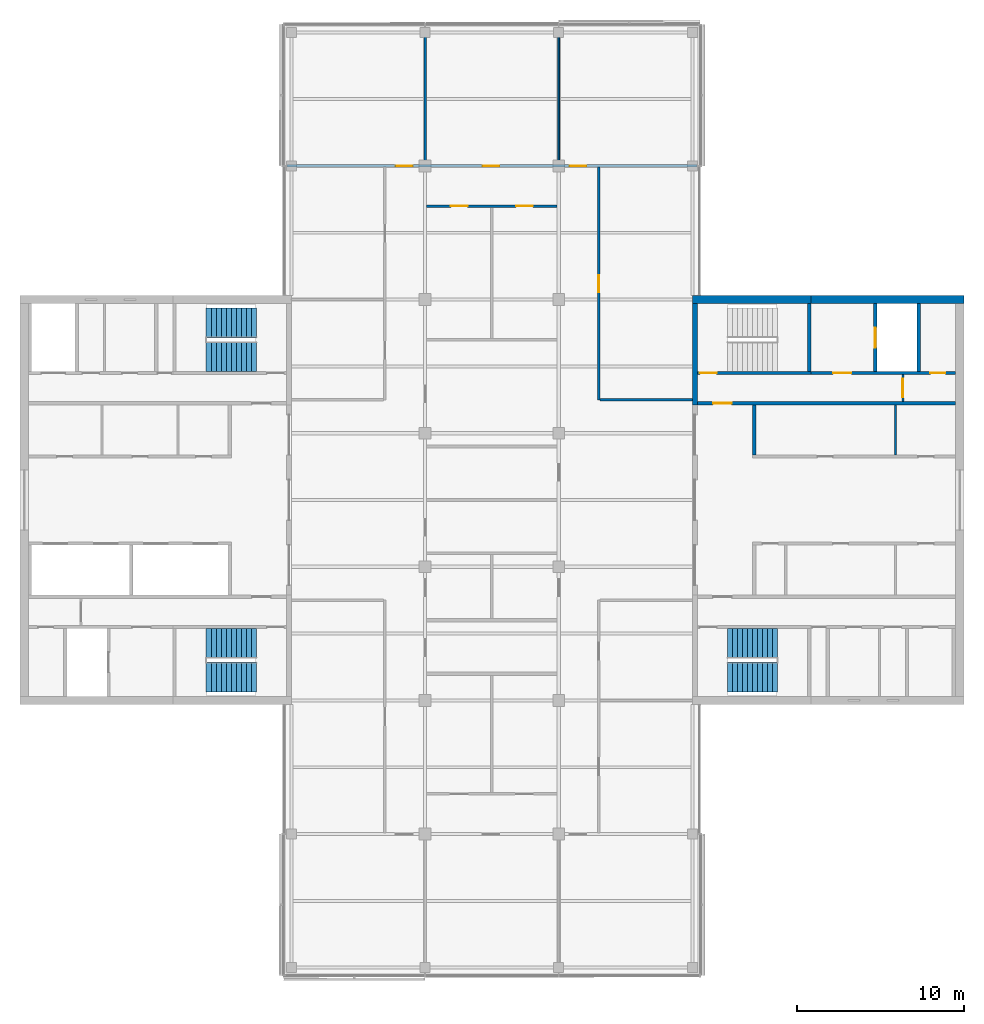
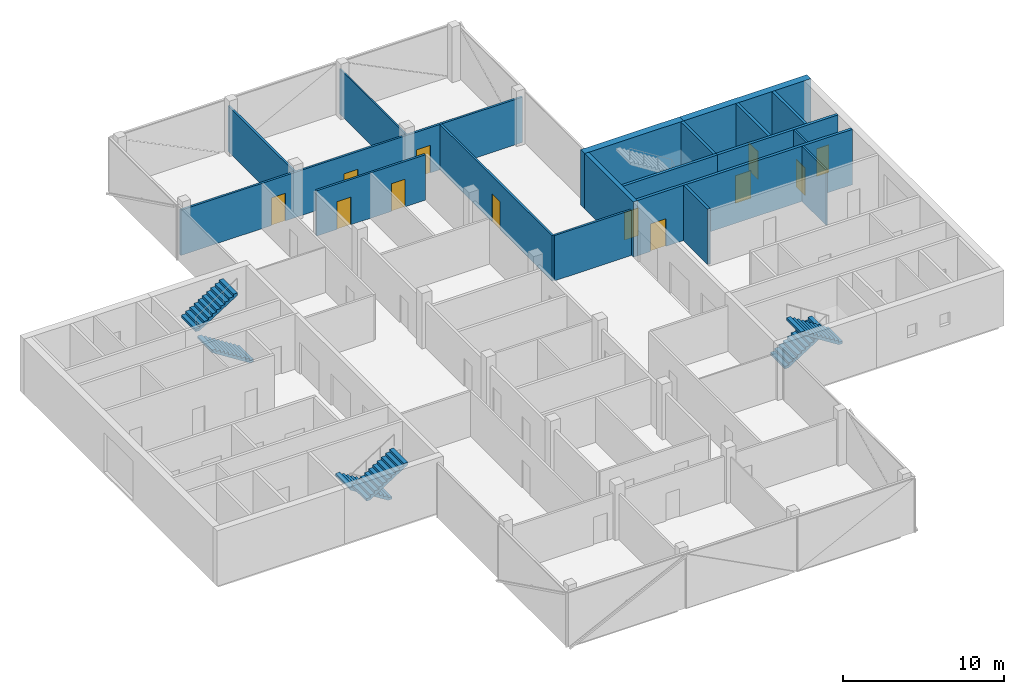
# One storey, part 12 of 16: 18 walls, 12 doors, 6 stair flights, 12 openings, 3 elements without a shape of their own.
"""IFC4 building model written with IfcOpenShell, lengths in metres."""

from ifc_helpers import new_model, si_unit, direction, frame, frame_2d, origin, place, context, subcontext, project, spatial, polyline, rectangle, outline, extrude, material, layer, layer_set, constituent, constituent_set, type_object, element, fill, aggregate, save


model = new_model("IFC4")

# Units and contexts
model_context = context("Model", 3, precision=1e-05, world=origin(), true_north=direction((0.0, 1.0)))
body_context = subcontext(model_context, "Body", "Model", "MODEL_VIEW")
ifc_project = project(units=[si_unit("LENGTHUNIT", "METRE"), si_unit("AREAUNIT", "SQUARE_METRE"), si_unit("VOLUMEUNIT", "CUBIC_METRE"), si_unit("PLANEANGLEUNIT", "RADIAN"), si_unit("MASSUNIT", "GRAM", prefix="KILO")], contexts=[model_context])

# Site, building, storey
site_placement = place(None, origin())
site = spatial("IfcSite", under=ifc_project, at=site_placement, CompositionType="ELEMENT")
building_placement = place(site_placement, origin())
building = spatial("IfcBuilding", under=site, at=building_placement, Name="Crosswind Convention Tower", CompositionType="ELEMENT")
storey_placement = place(building_placement, frame((0.0, 0.0, 249.300048828125)))
storey = spatial("IfcBuildingStorey", under=building, at=storey_placement, Name="L53", CompositionType="ELEMENT", Elevation=249.300048828125)

# Walls
ifc_material_1 = material(Name="Concrete C50/60", Category="concrete")
ifc_layer_1 = layer(ifc_material_1, 0.300048828125)
ifc_layer_set_1 = layer_set([ifc_layer_1], Name="Concrete C50/60")
wall_type_1 = type_object("IfcWallType", Name="Concrete inner core wall 300", PredefinedType="SHEAR", material=ifc_layer_set_1)
wall_1_placement = place(storey_placement, frame((137.14990234375, 105.699951171875, 0.0), z_axis=(0.0, 0.0, 1.0), x_axis=(0.0, 1.0, 0.0)))
element("IfcWall", 1, at=wall_1_placement, inside=storey, type_object=wall_type_1, Name="Wall EP E L53", PredefinedType="SHEAR", context=body_context, shape_type="SweptSolid", body=[
    extrude(rectangle(XDim=6.050048828125, YDim=0.300048828125, at=frame_2d((3.02490234375, 0.0))), origin(), (0.0, 0.0, 1.0), 4.199951171875),
])
ifc_layer_2 = layer(ifc_material_1, 0.199951171875)
ifc_layer_set_2 = layer_set([ifc_layer_2], Name="Concrete C50/60")
wall_type_2 = type_object("IfcWallType", Name="Concrete shaft and stair wall 200", PredefinedType="SHEAR", material=ifc_layer_set_2)
wall_2_placement = place(storey_placement, frame((140.699951171875, 102.699951171875, 0.0), z_axis=(0.0, 0.0, 1.0), x_axis=(0.0, 1.0, 0.0)))
element("IfcWall", 2, at=wall_2_placement, inside=storey, type_object=wall_type_2, Name="Wall RPEND E L53", PredefinedType="SHEAR", context=body_context, shape_type="SweptSolid", body=[
    extrude(rectangle(XDim=3.0, YDim=0.199951171875, at=frame_2d((1.5, 0.0))), origin(), (0.0, 0.0, 1.0), 4.199951171875),
])

# Wall, opening, door
wall_3_placement = place(storey_placement, frame((137.300048828125, 105.800048828125, 0.0), z_axis=(0.0, 0.0, 1.0), x_axis=(1.0, 0.0, 0.0)))
wall_3 = element("IfcWall", 3, at=wall_3_placement, inside=storey, type_object=wall_type_2, Name="Wall HP E L53", PredefinedType="SHEAR", context=body_context, shape_type="SweptSolid", body=[
    extrude(rectangle(XDim=15.449951171875, YDim=0.199951171875, at=frame_2d((7.72509765625, 0.0))), origin(), (0.0, 0.0, 1.0), 4.199951171875),
])
opening_1_placement = place(wall_3_placement, frame((0.949951171875, 0.0, 0.0)))
opening_1 = element("IfcOpeningElement", 4, at=opening_1_placement, cuts=wall_3, Name="Opening D104", PredefinedType="OPENING", context=body_context, shape_type="SweptSolid", body=[
    extrude(rectangle(XDim=1.10009765625, YDim=2.10009765625, at=frame_2d((0.550048828125, 1.050048828125))), frame((0.0, 0.10986328125, 0.0), z_axis=(0.0, -1.0, 0.0), x_axis=(1.0, 0.0, 0.0)), (0.0, 0.0, 1.0), 0.219970703125),
])
ifc_material_2 = material(Name="Steel fire door", Category="steel")
door_type_1 = type_object("IfcDoorType", Name="Fire-rated single door 1100x2100", OperationType="NOTDEFINED", PredefinedType="DOOR", material=ifc_material_2)
door_1_placement = place(opening_1_placement, origin())
door_1 = element("IfcDoor", 5, at=door_1_placement, inside=storey, type_object=door_type_1, Name="Corridor door L53", ObjectType="D104", OperationType="SINGLE_SWING_LEFT", OverallHeight=2.10009765625, OverallWidth=1.10009765625, PredefinedType="DOOR", context=body_context, shape_type="SweptSolid", body=[
    extrude(rectangle(XDim=1.10009765625, YDim=2.10009765625, at=frame_2d((0.550048828125, 1.050048828125))), frame((0.0, 0.02490234375, 0.0), z_axis=(0.0, -1.0, 0.0), x_axis=(1.0, 0.0, 0.0)), (0.0, 0.0, 1.0), 0.050048828125),
])
fill(opening_1, door_1)

# Wall
wall_4_placement = place(storey_placement, frame((144.0, 107.699951171875, 0.0), z_axis=(0.0, 0.0, 1.0), x_axis=(0.0, 1.0, 0.0)))
element("IfcWall", 6, at=wall_4_placement, inside=storey, type_object=wall_type_2, Name="Wall PSE E L53", PredefinedType="SHEAR", context=body_context, shape_type="SweptSolid", body=[
    extrude(rectangle(XDim=4.050048828125, YDim=0.199951171875, at=frame_2d((2.02490234375, 0.0))), origin(), (0.0, 0.0, 1.0), 4.199951171875),
])

# Wall, opening, door
wall_5_placement = place(storey_placement, frame((147.949951171875, 107.699951171875, 0.0), z_axis=(0.0, 0.0, 1.0), x_axis=(0.0, 1.0, 0.0)))
wall_5 = element("IfcWall", 7, at=wall_5_placement, inside=storey, type_object=wall_type_2, Name="Wall PFLW E L53", PredefinedType="SHEAR", context=body_context, shape_type="SweptSolid", body=[
    extrude(rectangle(XDim=4.050048828125, YDim=0.199951171875, at=frame_2d((2.02490234375, 0.0))), origin(), (0.0, 0.0, 1.0), 4.199951171875),
])
opening_2_placement = place(wall_5_placement, frame((1.425048828125, 0.0, 0.0)))
opening_2 = element("IfcOpeningElement", 8, at=opening_2_placement, cuts=wall_5, Name="Opening LD1", PredefinedType="OPENING", context=body_context, shape_type="SweptSolid", body=[
    extrude(rectangle(XDim=1.199951171875, YDim=2.10009765625, at=frame_2d((0.60009765625, 1.050048828125))), frame((0.0, 0.10986328125, 0.0), z_axis=(0.0, -1.0, 0.0), x_axis=(1.0, 0.0, 0.0)), (0.0, 0.0, 1.0), 0.219970703125),
])
ifc_material_3 = material(Name="Stainless steel", Category="steel")
door_type_2 = type_object("IfcDoorType", Name="Lift landing door 1200x2100", OperationType="DOUBLE_DOOR_SLIDING", PredefinedType="DOOR", material=ifc_material_3)
door_2_placement = place(opening_2_placement, origin())
door_2 = element("IfcDoor", 9, at=door_2_placement, inside=storey, type_object=door_type_2, Name="Landing door FF1 L53", ObjectType="LD1", OperationType="DOUBLE_DOOR_SLIDING", OverallHeight=2.10009765625, OverallWidth=1.199951171875, PredefinedType="DOOR", context=body_context, shape_type="SweptSolid", body=[
    extrude(rectangle(XDim=1.199951171875, YDim=2.10009765625, at=frame_2d((0.60009765625, 1.050048828125))), frame((0.0, 0.02490234375, 0.0), z_axis=(0.0, -1.0, 0.0), x_axis=(1.0, 0.0, 0.0)), (0.0, 0.0, 1.0), 0.050048828125),
])
fill(opening_2, door_2)

# Wall
wall_6_placement = place(storey_placement, frame((150.550048828125, 107.699951171875, 0.0), z_axis=(0.0, 0.0, 1.0), x_axis=(0.0, 1.0, 0.0)))
element("IfcWall", 10, at=wall_6_placement, inside=storey, type_object=wall_type_2, Name="Wall PFSE E L53", PredefinedType="SHEAR", context=body_context, shape_type="SweptSolid", body=[
    extrude(rectangle(XDim=4.050048828125, YDim=0.199951171875, at=frame_2d((2.02490234375, 0.0))), origin(), (0.0, 0.0, 1.0), 4.199951171875),
])

# Wall, opening, door
wall_7_placement = place(storey_placement, frame((137.300048828125, 107.60009765625, 0.0), z_axis=(0.0, 0.0, 1.0), x_axis=(1.0, 0.0, 0.0)))
wall_7 = element("IfcWall", 11, at=wall_7_placement, inside=storey, type_object=wall_type_2, Name="Wall PCW E L53", PredefinedType="SHEAR", context=body_context, shape_type="SweptSolid", body=[
    extrude(rectangle(XDim=6.800048828125, YDim=0.199951171875, at=frame_2d((3.39990234375, 0.0))), origin(), (0.0, 0.0, 1.0), 4.199951171875),
])
opening_3_placement = place(wall_7_placement, frame((0.14990234375, 0.0, 0.0)))
opening_3 = element("IfcOpeningElement", 12, at=opening_3_placement, cuts=wall_7, Name="Opening D103", PredefinedType="OPENING", context=body_context, shape_type="SweptSolid", body=[
    extrude(rectangle(XDim=1.0, YDim=2.10009765625, at=frame_2d((0.5, 1.050048828125))), frame((0.0, 0.10986328125, 0.0), z_axis=(0.0, -1.0, 0.0), x_axis=(1.0, 0.0, 0.0)), (0.0, 0.0, 1.0), 0.219970703125),
])
door_type_3 = type_object("IfcDoorType", Name="Fire-rated single door 1000x2100", OperationType="NOTDEFINED", PredefinedType="DOOR", material=ifc_material_2)
door_3_placement = place(opening_3_placement, origin())
door_3 = element("IfcDoor", 13, at=door_3_placement, inside=storey, type_object=door_type_3, Name="Stair ST1 door L53", ObjectType="D103", OperationType="SINGLE_SWING_LEFT", OverallHeight=2.10009765625, OverallWidth=1.0, PredefinedType="DOOR", context=body_context, shape_type="SweptSolid", body=[
    extrude(rectangle(XDim=1.0, YDim=2.10009765625, at=frame_2d((0.5, 1.050048828125))), frame((0.0, 0.02490234375, 0.0), z_axis=(0.0, -1.0, 0.0), x_axis=(1.0, 0.0, 0.0)), (0.0, 0.0, 1.0), 0.050048828125),
])
fill(opening_3, door_3)

# Wall, openings, doors
wall_8_placement = place(storey_placement, frame((144.10009765625, 107.60009765625, 0.0), z_axis=(0.0, 0.0, 1.0), x_axis=(1.0, 0.0, 0.0)))
wall_8 = element("IfcWall", 14, at=wall_8_placement, inside=storey, type_object=wall_type_2, Name="Wall PCX E L53", PredefinedType="SHEAR", context=body_context, shape_type="SweptSolid", body=[
    extrude(rectangle(XDim=8.64990234375, YDim=0.199951171875, at=frame_2d((4.324951171875, 0.0))), origin(), (0.0, 0.0, 1.0), 4.199951171875),
])
opening_4_placement = place(wall_8_placement, frame((1.324951171875, 0.0, 0.0)))
opening_4 = element("IfcOpeningElement", 15, at=opening_4_placement, cuts=wall_8, Name="Opening D104", PredefinedType="OPENING", context=body_context, shape_type="SweptSolid", body=[
    extrude(rectangle(XDim=1.10009765625, YDim=2.10009765625, at=frame_2d((0.550048828125, 1.050048828125))), frame((0.0, 0.10986328125, 0.0), z_axis=(0.0, -1.0, 0.0), x_axis=(1.0, 0.0, 0.0)), (0.0, 0.0, 1.0), 0.219970703125),
])
opening_5_placement = place(wall_8_placement, frame((7.14990234375, 0.0, 0.0)))
opening_5 = element("IfcOpeningElement", 16, at=opening_5_placement, cuts=wall_8, Name="Opening D106", PredefinedType="OPENING", context=body_context, shape_type="SweptSolid", body=[
    extrude(rectangle(XDim=0.89990234375, YDim=2.10009765625, at=frame_2d((0.449951171875, 1.050048828125))), frame((0.0, 0.10986328125, 0.0), z_axis=(0.0, -1.0, 0.0), x_axis=(1.0, 0.0, 0.0)), (0.0, 0.0, 1.0), 0.219970703125),
])
door_4_placement = place(opening_4_placement, origin())
door_4 = element("IfcDoor", 17, at=door_4_placement, inside=storey, type_object=door_type_1, Name="Fire-fighting lobby FF1 door L53", ObjectType="D104", OperationType="SINGLE_SWING_RIGHT", OverallHeight=2.10009765625, OverallWidth=1.10009765625, PredefinedType="DOOR", context=body_context, shape_type="SweptSolid", body=[
    extrude(rectangle(XDim=1.10009765625, YDim=2.10009765625, at=frame_2d((0.550048828125, 1.050048828125))), frame((0.0, 0.02490234375, 0.0), z_axis=(0.0, -1.0, 0.0), x_axis=(1.0, 0.0, 0.0)), (0.0, 0.0, 1.0), 0.050048828125),
])
fill(opening_4, door_4)
ifc_material_4 = material(Name="Timber door", Category="wood")
door_type_4 = type_object("IfcDoorType", Name="Single leaf door 900x2100", OperationType="NOTDEFINED", PredefinedType="DOOR", material=ifc_material_4)
door_5_placement = place(opening_5_placement, origin())
door_5 = element("IfcDoor", 18, at=door_5_placement, inside=storey, type_object=door_type_4, Name="Door to telecoms room L53", ObjectType="D106", OperationType="SINGLE_SWING_RIGHT", OverallHeight=2.10009765625, OverallWidth=0.89990234375, PredefinedType="DOOR", context=body_context, shape_type="SweptSolid", body=[
    extrude(rectangle(XDim=0.89990234375, YDim=2.10009765625, at=frame_2d((0.449951171875, 1.050048828125))), frame((0.0, 0.02490234375, 0.0), z_axis=(0.0, -1.0, 0.0), x_axis=(1.0, 0.0, 0.0)), (0.0, 0.0, 1.0), 0.050048828125),
])
fill(opening_5, door_5)

# Wall
ifc_material_5 = material(Name="Gypsum plasterboard partition", Category="gypsum")
ifc_layer_3 = layer(ifc_material_5, 0.125)
ifc_layer_set_3 = layer_set([ifc_layer_3], Name="Drywall partition wall 125")
wall_type_3 = type_object("IfcWallType", Name="Drywall partition wall 125", PredefinedType="PARTITIONING", material=ifc_layer_set_3)
wall_9_placement = place(storey_placement, frame((149.1650390625, 102.699951171875, 0.0), z_axis=(0.0, 0.0, 1.0), x_axis=(0.0, 1.0, 0.0)))
element("IfcWall", 19, at=wall_9_placement, inside=storey, type_object=wall_type_3, Name="Wall RPP1 E L53", PredefinedType="PARTITIONING", context=body_context, shape_type="SweptSolid", body=[
    extrude(rectangle(XDim=3.0, YDim=0.125, at=frame_2d((1.5, 0.0))), origin(), (0.0, 0.0, 1.0), 4.199951171875),
])

# Wall, opening, door
wall_10_placement = place(storey_placement, frame((149.60009765625, 105.89990234375, 0.0), z_axis=(0.0, 0.0, 1.0), x_axis=(0.0, 1.0, 0.0)))
wall_10 = element("IfcWall", 20, at=wall_10_placement, inside=storey, type_object=wall_type_3, Name="Wall PXC1 E L53", PredefinedType="PARTITIONING", context=body_context, shape_type="SweptSolid", body=[
    extrude(rectangle(XDim=1.60009765625, YDim=0.125, at=frame_2d((0.800048828125, 0.0))), origin(), (0.0, 0.0, 1.0), 4.199951171875),
])
opening_6_placement = place(wall_10_placement, frame((0.25, 0.0, 0.0)))
opening_6 = element("IfcOpeningElement", 21, at=opening_6_placement, cuts=wall_10, Name="Opening D104", PredefinedType="OPENING", context=body_context, shape_type="SweptSolid", body=[
    extrude(rectangle(XDim=1.10009765625, YDim=2.10009765625, at=frame_2d((0.550048828125, 1.050048828125))), frame((0.0, 0.072509765625, 0.0), z_axis=(0.0, -1.0, 0.0), x_axis=(1.0, 0.0, 0.0)), (0.0, 0.0, 1.0), 0.14501953125),
])
door_6_placement = place(opening_6_placement, origin())
door_6 = element("IfcDoor", 22, at=door_6_placement, inside=storey, type_object=door_type_1, Name="Corridor smoke door L53", ObjectType="D104", OperationType="SINGLE_SWING_RIGHT", OverallHeight=2.10009765625, OverallWidth=1.10009765625, PredefinedType="DOOR", context=body_context, shape_type="SweptSolid", body=[
    extrude(rectangle(XDim=1.10009765625, YDim=2.10009765625, at=frame_2d((0.550048828125, 1.050048828125))), frame((0.0, 0.02490234375, 0.0), z_axis=(0.0, -1.0, 0.0), x_axis=(1.0, 0.0, 0.0)), (0.0, 0.0, 1.0), 0.050048828125),
])
fill(opening_6, door_6)

# Walls
ifc_material_6 = material(Name="Plasterboard partition", Category="gypsum")
ifc_layer_4 = layer(ifc_material_6, 0.10009765625)
ifc_layer_set_4 = layer_set([ifc_layer_4], Name="PARTITION 100 METAL STUD")
wall_type_4 = type_object("IfcWallType", Name="PARTITION 100 METAL STUD", PredefinedType="PARTITIONING", material=ifc_layer_set_4)
wall_11_placement = place(storey_placement, frame((129.0, 120.074951171875, 0.0), z_axis=(0.0, 0.0, 1.0), x_axis=(0.0, 1.0, 0.0)))
element("IfcWall", 23, at=wall_11_placement, inside=storey, type_object=wall_type_4, Name="Partition wall WT40", PredefinedType="PARTITIONING", context=body_context, shape_type="SweptSolid", body=[
    extrude(rectangle(XDim=8.195068359375, YDim=0.10009765625, at=frame_2d((4.09765625, 0.0))), origin(), (0.0, 0.0, 1.0), 3.44287109375),
])
ifc_material_7 = material(Name="Fire-board partition with mineral wool", Category="gypsum")
ifc_layer_5 = layer(ifc_material_7, 0.14990234375)
ifc_layer_set_5 = layer_set([ifc_layer_5], Name="TENANCY WALL 150 TWO-HOUR BOARD")
wall_type_5 = type_object("IfcWallType", Name="TENANCY WALL 150 TWO-HOUR BOARD", PredefinedType="PARTITIONING", material=ifc_layer_set_5)
wall_12_placement = place(storey_placement, frame((121.0, 120.074951171875, 0.0), z_axis=(0.0, 0.0, 1.0), x_axis=(0.0, 1.0, 0.0)))
element("IfcWall", 24, at=wall_12_placement, inside=storey, type_object=wall_type_5, Name="Tenancy wall WT41", PredefinedType="PARTITIONING", context=body_context, shape_type="SweptSolid", body=[
    extrude(rectangle(XDim=8.195068359375, YDim=0.14990234375, at=frame_2d((4.09765625, 0.0))), origin(), (0.0, 0.0, 1.0), 3.44287109375),
])

# Wall, opening, door
wall_13_placement = place(storey_placement, frame((131.39990234375, 106.0, 0.0), z_axis=(0.0, 0.0, 1.0), x_axis=(0.0, 1.0, 0.0)))
wall_13 = element("IfcWall", 25, at=wall_13_placement, inside=storey, type_object=wall_type_5, Name="Tenancy wall WT41", PredefinedType="PARTITIONING", context=body_context, shape_type="SweptSolid", body=[
    extrude(rectangle(XDim=13.925048828125, YDim=0.14990234375, at=frame_2d((6.96240234375, 0.0))), origin(), (0.0, 0.0, 1.0), 3.44287109375),
])
opening_7_placement = place(wall_13_placement, frame((6.449951171875, 0.0, 0.0)))
opening_7 = element("IfcOpeningElement", 26, at=opening_7_placement, cuts=wall_13, Name="Opening L53-50", PredefinedType="OPENING", context=body_context, shape_type="SweptSolid", body=[
    extrude(rectangle(XDim=1.0, YDim=2.10009765625, at=frame_2d((0.5, 1.050048828125))), frame((0.0, 0.0849609375, 0.0), z_axis=(0.0, -1.0, 0.0), x_axis=(1.0, 0.0, 0.0)), (0.0, 0.0, 1.0), 0.169921875),
])
ifc_material_8 = material(Name="Timber fire door", Category="wood")
door_type_5 = type_object("IfcDoorType", Name="TENANCY ENTRANCE DOOR 1000X2100 FD30S", OperationType="NOTDEFINED", PredefinedType="DOOR", material=ifc_material_8)
door_7_placement = place(opening_7_placement, frame((1.0, 0.0, 0.0), z_axis=(0.0, 0.0, 1.0), x_axis=(-1.0, 0.0, 0.0)))
door_7 = element("IfcDoor", 27, at=door_7_placement, inside=storey, type_object=door_type_5, Name="Door L53-50", ObjectType="D41", OperationType="SINGLE_SWING_LEFT", OverallHeight=2.10009765625, OverallWidth=1.0, PredefinedType="DOOR", context=body_context, shape_type="SweptSolid", body=[
    extrude(rectangle(XDim=1.0, YDim=2.10009765625, at=frame_2d((0.5, 1.050048828125))), frame((0.0, 0.02490234375, 0.0), z_axis=(0.0, -1.0, 0.0), x_axis=(1.0, 0.0, 0.0)), (0.0, 0.0, 1.0), 0.050048828125),
])
fill(opening_7, door_7)

# Wall
wall_14_placement = place(storey_placement, frame((131.47509765625, 106.0, 0.0), z_axis=(0.0, 0.0, 1.0), x_axis=(1.0, 0.0, 0.0)))
element("IfcWall", 28, at=wall_14_placement, inside=storey, type_object=wall_type_5, Name="Tenancy wall WT41", PredefinedType="PARTITIONING", context=body_context, shape_type="SweptSolid", body=[
    extrude(rectangle(XDim=5.52490234375, YDim=0.14990234375, at=frame_2d((2.762451171875, 0.0))), origin(), (0.0, 0.0, 1.0), 3.44287109375),
])

# Wall, openings, doors
wall_15_placement = place(storey_placement, frame((121.10009765625, 117.60009765625, 0.0), z_axis=(0.0, 0.0, 1.0), x_axis=(1.0, 0.0, 0.0)))
wall_15 = element("IfcWall", 29, at=wall_15_placement, inside=storey, type_object=wall_type_5, Name="Tenancy wall WT41", PredefinedType="PARTITIONING", context=body_context, shape_type="SweptSolid", body=[
    extrude(rectangle(XDim=7.7998046875, YDim=0.14990234375, at=frame_2d((3.89990234375, 0.0))), origin(), (0.0, 0.0, 1.0), 3.44287109375),
])
opening_8_placement = place(wall_15_placement, frame((1.449951171875, 0.0, 0.0)))
opening_8 = element("IfcOpeningElement", 30, at=opening_8_placement, cuts=wall_15, Name="Opening L53-70", PredefinedType="OPENING", context=body_context, shape_type="SweptSolid", body=[
    extrude(rectangle(XDim=1.0, YDim=2.10009765625, at=frame_2d((0.5, 1.050048828125))), frame((0.0, 0.0849609375, 0.0), z_axis=(0.0, -1.0, 0.0), x_axis=(1.0, 0.0, 0.0)), (0.0, 0.0, 1.0), 0.169921875),
])
opening_9_placement = place(wall_15_placement, frame((5.35009765625, 0.0, 0.0)))
opening_9 = element("IfcOpeningElement", 31, at=opening_9_placement, cuts=wall_15, Name="Opening L53-71", PredefinedType="OPENING", context=body_context, shape_type="SweptSolid", body=[
    extrude(rectangle(XDim=1.0, YDim=2.10009765625, at=frame_2d((0.5, 1.050048828125))), frame((0.0, 0.0849609375, 0.0), z_axis=(0.0, -1.0, 0.0), x_axis=(1.0, 0.0, 0.0)), (0.0, 0.0, 1.0), 0.169921875),
])
door_8_placement = place(opening_8_placement, frame((1.0, 0.0, 0.0), z_axis=(0.0, 0.0, 1.0), x_axis=(-1.0, 0.0, 0.0)))
door_8 = element("IfcDoor", 32, at=door_8_placement, inside=storey, type_object=door_type_5, Name="Door L53-70", ObjectType="D41", OperationType="SINGLE_SWING_LEFT", OverallHeight=2.10009765625, OverallWidth=1.0, PredefinedType="DOOR", context=body_context, shape_type="SweptSolid", body=[
    extrude(rectangle(XDim=1.0, YDim=2.10009765625, at=frame_2d((0.5, 1.050048828125))), frame((0.0, 0.02490234375, 0.0), z_axis=(0.0, -1.0, 0.0), x_axis=(1.0, 0.0, 0.0)), (0.0, 0.0, 1.0), 0.050048828125),
])
fill(opening_8, door_8)
door_9_placement = place(opening_9_placement, frame((1.0, 0.0, 0.0), z_axis=(0.0, 0.0, 1.0), x_axis=(-1.0, 0.0, 0.0)))
door_9 = element("IfcDoor", 33, at=door_9_placement, inside=storey, type_object=door_type_5, Name="Door L53-71", ObjectType="D41", OperationType="SINGLE_SWING_RIGHT", OverallHeight=2.10009765625, OverallWidth=1.0, PredefinedType="DOOR", context=body_context, shape_type="SweptSolid", body=[
    extrude(rectangle(XDim=1.0, YDim=2.10009765625, at=frame_2d((0.5, 1.050048828125))), frame((0.0, 0.02490234375, 0.0), z_axis=(0.0, -1.0, 0.0), x_axis=(1.0, 0.0, 0.0)), (0.0, 0.0, 1.0), 0.050048828125),
])
fill(opening_9, door_9)

wall_16_placement = place(storey_placement, frame((112.72998046875, 120.0, 0.0), z_axis=(0.0, 0.0, 1.0), x_axis=(1.0, 0.0, 0.0)))
wall_16 = element("IfcWall", 34, at=wall_16_placement, inside=storey, type_object=wall_type_5, Name="Tenancy wall WT41", PredefinedType="PARTITIONING", context=body_context, shape_type="SweptSolid", body=[
    extrude(rectangle(XDim=24.5400390625, YDim=0.14990234375, at=frame_2d((12.27001953125, 0.0))), origin(), (0.0, 0.0, 1.0), 3.44287109375),
])
opening_10_placement = place(wall_16_placement, frame((6.52001953125, 0.0, 0.0)))
opening_10 = element("IfcOpeningElement", 35, at=opening_10_placement, cuts=wall_16, Name="Opening L53-56", PredefinedType="OPENING", context=body_context, shape_type="SweptSolid", body=[
    extrude(rectangle(XDim=1.0, YDim=2.10009765625, at=frame_2d((0.5, 1.050048828125))), frame((0.0, 0.0849609375, 0.0), z_axis=(0.0, -1.0, 0.0), x_axis=(1.0, 0.0, 0.0)), (0.0, 0.0, 1.0), 0.169921875),
])
opening_11_placement = place(wall_16_placement, frame((11.719970703125, 0.0, 0.0)))
opening_11 = element("IfcOpeningElement", 36, at=opening_11_placement, cuts=wall_16, Name="Opening L53-57", PredefinedType="OPENING", context=body_context, shape_type="SweptSolid", body=[
    extrude(rectangle(XDim=1.0, YDim=2.10009765625, at=frame_2d((0.5, 1.050048828125))), frame((0.0, 0.0849609375, 0.0), z_axis=(0.0, -1.0, 0.0), x_axis=(1.0, 0.0, 0.0)), (0.0, 0.0, 1.0), 0.169921875),
])
opening_12_placement = place(wall_16_placement, frame((16.919921875, 0.0, 0.0)))
opening_12 = element("IfcOpeningElement", 37, at=opening_12_placement, cuts=wall_16, Name="Opening L53-58", PredefinedType="OPENING", context=body_context, shape_type="SweptSolid", body=[
    extrude(rectangle(XDim=1.0, YDim=2.10009765625, at=frame_2d((0.5, 1.050048828125))), frame((0.0, 0.0849609375, 0.0), z_axis=(0.0, -1.0, 0.0), x_axis=(1.0, 0.0, 0.0)), (0.0, 0.0, 1.0), 0.169921875),
])
door_10_placement = place(opening_10_placement, origin())
door_10 = element("IfcDoor", 38, at=door_10_placement, inside=storey, type_object=door_type_5, Name="Door L53-56", ObjectType="D41", OperationType="SINGLE_SWING_RIGHT", OverallHeight=2.10009765625, OverallWidth=1.0, PredefinedType="DOOR", context=body_context, shape_type="SweptSolid", body=[
    extrude(rectangle(XDim=1.0, YDim=2.10009765625, at=frame_2d((0.5, 1.050048828125))), frame((0.0, 0.02490234375, 0.0), z_axis=(0.0, -1.0, 0.0), x_axis=(1.0, 0.0, 0.0)), (0.0, 0.0, 1.0), 0.050048828125),
])
fill(opening_10, door_10)
door_11_placement = place(opening_11_placement, origin())
door_11 = element("IfcDoor", 39, at=door_11_placement, inside=storey, type_object=door_type_5, Name="Door L53-57", ObjectType="D41", OperationType="SINGLE_SWING_LEFT", OverallHeight=2.10009765625, OverallWidth=1.0, PredefinedType="DOOR", context=body_context, shape_type="SweptSolid", body=[
    extrude(rectangle(XDim=1.0, YDim=2.10009765625, at=frame_2d((0.5, 1.050048828125))), frame((0.0, 0.02490234375, 0.0), z_axis=(0.0, -1.0, 0.0), x_axis=(1.0, 0.0, 0.0)), (0.0, 0.0, 1.0), 0.050048828125),
])
fill(opening_11, door_11)
door_12_placement = place(opening_12_placement, origin())
door_12 = element("IfcDoor", 40, at=door_12_placement, inside=storey, type_object=door_type_5, Name="Door L53-58", ObjectType="D41", OperationType="SINGLE_SWING_LEFT", OverallHeight=2.10009765625, OverallWidth=1.0, PredefinedType="DOOR", context=body_context, shape_type="SweptSolid", body=[
    extrude(rectangle(XDim=1.0, YDim=2.10009765625, at=frame_2d((0.5, 1.050048828125))), frame((0.0, 0.02490234375, 0.0), z_axis=(0.0, -1.0, 0.0), x_axis=(1.0, 0.0, 0.0)), (0.0, 0.0, 1.0), 0.050048828125),
])
fill(opening_12, door_12)

# Walls
ifc_material_9 = material(Name="Concrete C60/75", Category="concrete")
ifc_constituent_1 = constituent(ifc_material_9, Name="Structure")
ifc_material_10 = material(Name="Terracotta rainscreen", Category="ceramic")
ifc_constituent_2 = constituent(ifc_material_10, Name="Facing")
ifc_constituent_set = constituent_set(constituents=[ifc_constituent_1, ifc_constituent_2], Name="Concrete C60/75, Terracotta rainscreen")
wall_type_6 = type_object("IfcWallType", Name="Terracotta rainscreen on concrete core wall 500", PredefinedType="SHEAR", material=ifc_constituent_set)
wall_17_placement = place(storey_placement, frame((137.0, 112.0, 0.0), z_axis=(0.0, 0.0, 1.0), x_axis=(1.0, 0.0, 0.0)))
element("IfcWall", 41, at=wall_17_placement, inside=storey, type_object=wall_type_6, Name="Wall N1 E L53", PredefinedType="SHEAR", context=body_context, shape_type="SweptSolid", body=[
    extrude(rectangle(XDim=7.10009765625, YDim=0.5, at=frame_2d((3.550048828125, 0.0))), origin(), (0.0, 0.0, 1.0), 4.199951171875),
])
wall_18_placement = place(storey_placement, frame((144.10009765625, 112.0, 0.0), z_axis=(0.0, 0.0, 1.0), x_axis=(1.0, 0.0, 0.0)))
element("IfcWall", 42, at=wall_18_placement, inside=storey, type_object=wall_type_6, Name="Wall N2 E L53", PredefinedType="SHEAR", context=body_context, shape_type="SweptSolid", body=[
    extrude(rectangle(XDim=9.14990234375, YDim=0.5, at=frame_2d((4.574951171875, 0.0))), origin(), (0.0, 0.0, 1.0), 4.199951171875),
])

# Stair, stair flights
ifc_material_11 = material(Name="Concrete C40/50", Category="concrete")
stair_type = type_object("IfcStairType", Name="Exit stair 1800 wide, 2 flights of 11 risers", PredefinedType="HALF_TURN_STAIR", material=ifc_material_11)
stair_1_placement = place(storey_placement, origin())
stair_1 = element("IfcStair", 43, at=stair_1_placement, inside=storey, type_object=stair_type, Name="Exit stair ST2 L53", ObjectType="ST5", PredefinedType="HALF_TURN_STAIR")
stair_flight_type = type_object("IfcStairFlightType", Name="Stair flight 1800 wide, 11 risers (SF4)", PredefinedType="STRAIGHT", material=ifc_material_11)
stair_flight_1_placement = place(storey_placement, frame((139.10009765625, 91.39990234375, 0.0), z_axis=(0.0, 0.0, 1.0), x_axis=(1.0, 0.0, 0.0)))
stair_flight_1 = element("IfcStairFlight", 44, at=stair_flight_1_placement, type_object=stair_flight_type, Name="ST2 flight 1", NumberOfRisers=11, NumberOfTreads=10, PredefinedType="STRAIGHT", RiserHeight=0.190909091, TreadLength=0.3, context=body_context, shape_type="SweptSolid", body=[
    extrude(outline(polyline([(0.0, 0.0), (0.0, 0.19091796875), (0.300048828125, 0.19091796875), (0.300048828125, 0.3818359375), (0.60009765625, 0.3818359375), (0.60009765625, 0.57275390625), (0.89990234375, 0.57275390625), (0.89990234375, 0.763671875), (1.199951171875, 0.763671875), (1.199951171875, 0.95458984375), (1.5, 0.95458984375), (1.5, 1.1455078125), (1.800048828125, 1.1455078125), (1.800048828125, 1.33642578125), (2.10009765625, 1.33642578125), (2.10009765625, 1.52734375), (2.39990234375, 1.52734375), (2.39990234375, 1.71826171875), (2.699951171875, 1.71826171875), (2.699951171875, 1.9091796875), (3.0, 1.9091796875), (3.0, 2.10009765625), (3.0, 1.7314453125), (0.279296875, 0.0), (0.0, 0.0)])), frame((0.0, 0.89990234375, 0.0), z_axis=(0.0, -1.0, 0.0), x_axis=(1.0, 0.0, 0.0)), (0.0, 0.0, 1.0), 1.800048828125),
])
stair_flight_2_placement = place(storey_placement, frame((142.10009765625, 89.39990234375, 2.099853515625), z_axis=(0.0, 0.0, 1.0), x_axis=(-1.0, 0.0, 0.0)))
stair_flight_2 = element("IfcStairFlight", 45, at=stair_flight_2_placement, type_object=stair_flight_type, Name="ST2 flight 2", NumberOfRisers=11, NumberOfTreads=10, PredefinedType="STRAIGHT", RiserHeight=0.190909091, TreadLength=0.3, context=body_context, shape_type="SweptSolid", body=[
    extrude(outline(polyline([(0.0, 0.0), (0.0, 0.19091796875), (0.300048828125, 0.19091796875), (0.300048828125, 0.3818359375), (0.60009765625, 0.3818359375), (0.60009765625, 0.57275390625), (0.89990234375, 0.57275390625), (0.89990234375, 0.763671875), (1.199951171875, 0.763671875), (1.199951171875, 0.95458984375), (1.5, 0.95458984375), (1.5, 1.1455078125), (1.800048828125, 1.1455078125), (1.800048828125, 1.33642578125), (2.10009765625, 1.33642578125), (2.10009765625, 1.52734375), (2.39990234375, 1.52734375), (2.39990234375, 1.71826171875), (2.699951171875, 1.71826171875), (2.699951171875, 1.9091796875), (3.0, 1.9091796875), (3.0, 2.10009765625), (3.0, 1.7314453125), (0.279296875, 0.0), (0.0, 0.0)])), frame((0.0, 0.89990234375, 0.0), z_axis=(0.0, -1.0, 0.0), x_axis=(1.0, 0.0, 0.0)), (0.0, 0.0, 1.0), 1.800048828125),
])
aggregate(stair_1, [stair_flight_1, stair_flight_2])

stair_2_placement = place(storey_placement, origin())
stair_2 = element("IfcStair", 46, at=stair_2_placement, inside=storey, type_object=stair_type, Name="Exit stair ST3 L53", ObjectType="ST5", PredefinedType="HALF_TURN_STAIR")
stair_flight_3_placement = place(storey_placement, frame((110.89990234375, 91.39990234375, 0.0), z_axis=(0.0, 0.0, 1.0), x_axis=(-1.0, 0.0, 0.0)))
stair_flight_3 = element("IfcStairFlight", 47, at=stair_flight_3_placement, type_object=stair_flight_type, Name="ST3 flight 1", NumberOfRisers=11, NumberOfTreads=10, PredefinedType="STRAIGHT", RiserHeight=0.190909091, TreadLength=0.3, context=body_context, shape_type="SweptSolid", body=[
    extrude(outline(polyline([(0.0, 0.0), (0.0, 0.19091796875), (0.300048828125, 0.19091796875), (0.300048828125, 0.3818359375), (0.60009765625, 0.3818359375), (0.60009765625, 0.57275390625), (0.89990234375, 0.57275390625), (0.89990234375, 0.763671875), (1.199951171875, 0.763671875), (1.199951171875, 0.95458984375), (1.5, 0.95458984375), (1.5, 1.1455078125), (1.800048828125, 1.1455078125), (1.800048828125, 1.33642578125), (2.10009765625, 1.33642578125), (2.10009765625, 1.52734375), (2.39990234375, 1.52734375), (2.39990234375, 1.71826171875), (2.699951171875, 1.71826171875), (2.699951171875, 1.9091796875), (3.0, 1.9091796875), (3.0, 2.10009765625), (3.0, 1.7314453125), (0.279296875, 0.0), (0.0, 0.0)])), frame((0.0, 0.89990234375, 0.0), z_axis=(0.0, -1.0, 0.0), x_axis=(1.0, 0.0, 0.0)), (0.0, 0.0, 1.0), 1.800048828125),
])
stair_flight_4_placement = place(storey_placement, frame((107.89990234375, 89.39990234375, 2.099853515625), z_axis=(0.0, 0.0, 1.0), x_axis=(1.0, 0.0, 0.0)))
stair_flight_4 = element("IfcStairFlight", 48, at=stair_flight_4_placement, type_object=stair_flight_type, Name="ST3 flight 2", NumberOfRisers=11, NumberOfTreads=10, PredefinedType="STRAIGHT", RiserHeight=0.190909091, TreadLength=0.3, context=body_context, shape_type="SweptSolid", body=[
    extrude(outline(polyline([(0.0, 0.0), (0.0, 0.19091796875), (0.300048828125, 0.19091796875), (0.300048828125, 0.3818359375), (0.60009765625, 0.3818359375), (0.60009765625, 0.57275390625), (0.89990234375, 0.57275390625), (0.89990234375, 0.763671875), (1.199951171875, 0.763671875), (1.199951171875, 0.95458984375), (1.5, 0.95458984375), (1.5, 1.1455078125), (1.800048828125, 1.1455078125), (1.800048828125, 1.33642578125), (2.10009765625, 1.33642578125), (2.10009765625, 1.52734375), (2.39990234375, 1.52734375), (2.39990234375, 1.71826171875), (2.699951171875, 1.71826171875), (2.699951171875, 1.9091796875), (3.0, 1.9091796875), (3.0, 2.10009765625), (3.0, 1.7314453125), (0.279296875, 0.0), (0.0, 0.0)])), frame((0.0, 0.89990234375, 0.0), z_axis=(0.0, -1.0, 0.0), x_axis=(1.0, 0.0, 0.0)), (0.0, 0.0, 1.0), 1.800048828125),
])
aggregate(stair_2, [stair_flight_3, stair_flight_4])

stair_3_placement = place(storey_placement, origin())
stair_3 = element("IfcStair", 49, at=stair_3_placement, inside=storey, type_object=stair_type, Name="Exit stair ST4 L53", ObjectType="ST5", PredefinedType="HALF_TURN_STAIR")
stair_flight_5_placement = place(storey_placement, frame((110.89990234375, 108.60009765625, 0.0), z_axis=(0.0, 0.0, 1.0), x_axis=(-1.0, 0.0, 0.0)))
stair_flight_5 = element("IfcStairFlight", 50, at=stair_flight_5_placement, type_object=stair_flight_type, Name="ST4 flight 1", NumberOfRisers=11, NumberOfTreads=10, PredefinedType="STRAIGHT", RiserHeight=0.190909091, TreadLength=0.3, context=body_context, shape_type="SweptSolid", body=[
    extrude(outline(polyline([(0.0, 0.0), (0.0, 0.19091796875), (0.300048828125, 0.19091796875), (0.300048828125, 0.3818359375), (0.60009765625, 0.3818359375), (0.60009765625, 0.57275390625), (0.89990234375, 0.57275390625), (0.89990234375, 0.763671875), (1.199951171875, 0.763671875), (1.199951171875, 0.95458984375), (1.5, 0.95458984375), (1.5, 1.1455078125), (1.800048828125, 1.1455078125), (1.800048828125, 1.33642578125), (2.10009765625, 1.33642578125), (2.10009765625, 1.52734375), (2.39990234375, 1.52734375), (2.39990234375, 1.71826171875), (2.699951171875, 1.71826171875), (2.699951171875, 1.9091796875), (3.0, 1.9091796875), (3.0, 2.10009765625), (3.0, 1.7314453125), (0.279296875, 0.0), (0.0, 0.0)])), frame((0.0, 0.89990234375, 0.0), z_axis=(0.0, -1.0, 0.0), x_axis=(1.0, 0.0, 0.0)), (0.0, 0.0, 1.0), 1.800048828125),
])
stair_flight_6_placement = place(storey_placement, frame((107.89990234375, 110.60009765625, 2.099853515625), z_axis=(0.0, 0.0, 1.0), x_axis=(1.0, 0.0, 0.0)))
stair_flight_6 = element("IfcStairFlight", 51, at=stair_flight_6_placement, type_object=stair_flight_type, Name="ST4 flight 2", NumberOfRisers=11, NumberOfTreads=10, PredefinedType="STRAIGHT", RiserHeight=0.190909091, TreadLength=0.3, context=body_context, shape_type="SweptSolid", body=[
    extrude(outline(polyline([(0.0, 0.0), (0.0, 0.19091796875), (0.300048828125, 0.19091796875), (0.300048828125, 0.3818359375), (0.60009765625, 0.3818359375), (0.60009765625, 0.57275390625), (0.89990234375, 0.57275390625), (0.89990234375, 0.763671875), (1.199951171875, 0.763671875), (1.199951171875, 0.95458984375), (1.5, 0.95458984375), (1.5, 1.1455078125), (1.800048828125, 1.1455078125), (1.800048828125, 1.33642578125), (2.10009765625, 1.33642578125), (2.10009765625, 1.52734375), (2.39990234375, 1.52734375), (2.39990234375, 1.71826171875), (2.699951171875, 1.71826171875), (2.699951171875, 1.9091796875), (3.0, 1.9091796875), (3.0, 2.10009765625), (3.0, 1.7314453125), (0.279296875, 0.0), (0.0, 0.0)])), frame((0.0, 0.89990234375, 0.0), z_axis=(0.0, -1.0, 0.0), x_axis=(1.0, 0.0, 0.0)), (0.0, 0.0, 1.0), 1.800048828125),
])
aggregate(stair_3, [stair_flight_5, stair_flight_6])

save(model, "model.ifc")
